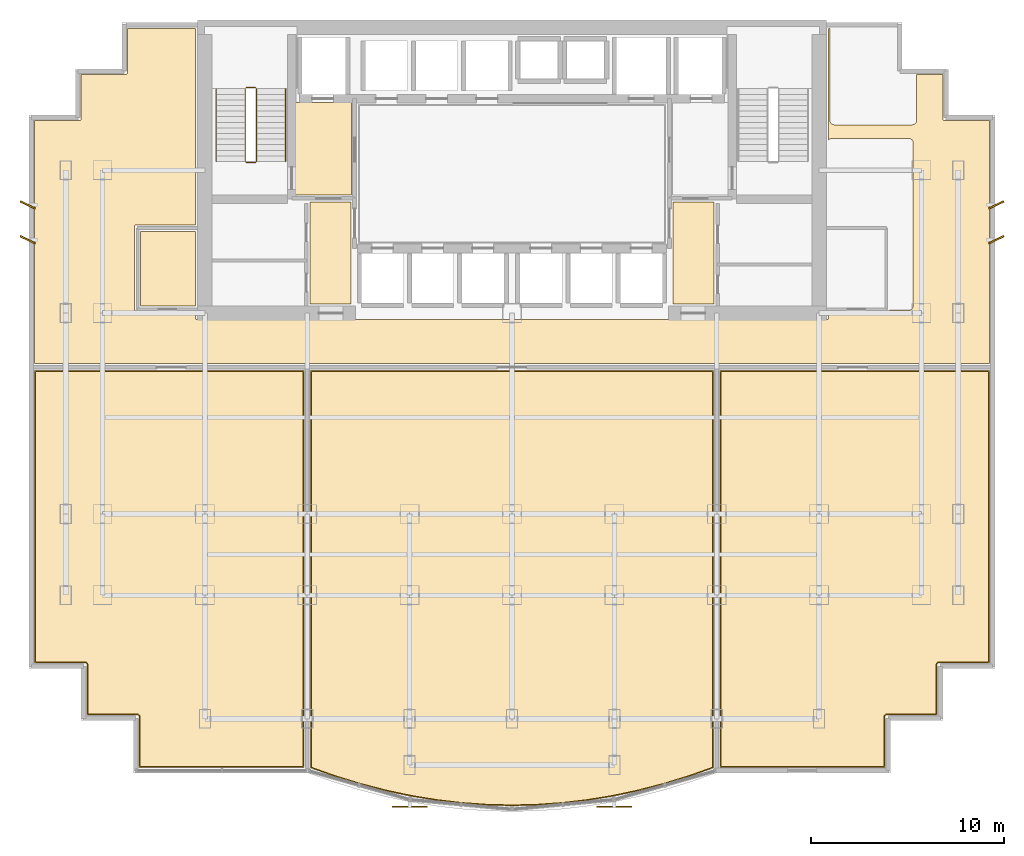
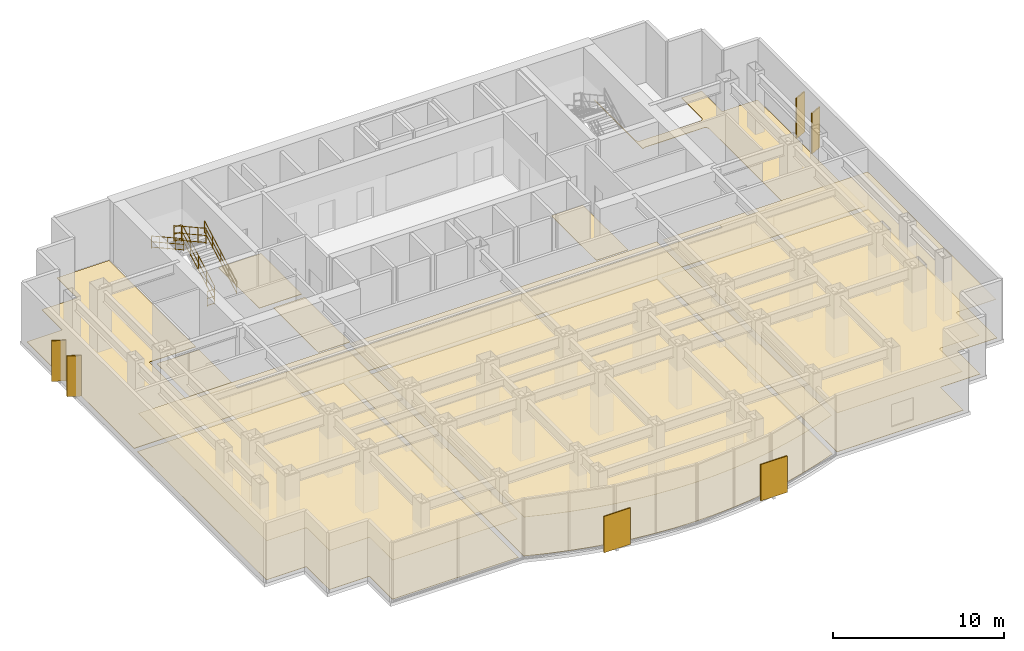
# One storey, part 8 of 9: 11 coverings, 6 railings, 6 shading devices.
"""IFC4 building model written with IfcOpenShell, lengths in metres."""

import ifcopenshell
import ifcopenshell.guid

model = None  # the IFC model being written
_history = None  # IfcOwnerHistory: only IFC2X3 demands one
_inside = {}  # id of a spatial element -> (the spatial element, [elements in it])
_under = {}  # id of a project, library or spatial element -> (it, [spatial elements below it])
_declared = {}  # id of a project -> (the project, [libraries it declares])
_typed = {}  # id of a type object -> (the type object, [elements of that type])
_made_of = {}  # id of a material, layer set ... -> (it, [elements and type objects made of it])


def new_model(schema):
    """Start an empty IFC model of exactly this schema.

    Asked for "IFC4X3", IfcOpenShell would pick the latest addendum, in which some entities
    have other attributes; the version numbers below select the first issue.
    IFC2X3 requires an IfcOwnerHistory on every rooted entity: one is made here for all.
    """
    global model, _history
    if schema == "IFC4X3":
        model = ifcopenshell.file(schema_version=(4, 3, 0, 0))
    else:
        model = ifcopenshell.file(schema=schema)
    _inside.clear()
    _under.clear()
    _declared.clear()
    _typed.clear()
    _made_of.clear()
    _history = None
    if model.schema == "IFC2X3":
        org = make("IfcOrganization", Name="unknown")
        user = make(
            "IfcPersonAndOrganization",
            ThePerson=make("IfcPerson", FamilyName="unknown"),
            TheOrganization=org,
        )
        app = make(
            "IfcApplication",
            ApplicationDeveloper=org,
            Version="unknown",
            ApplicationFullName="unknown",
            ApplicationIdentifier="unknown",
        )
        _history = make(
            "IfcOwnerHistory",
            OwningUser=user,
            OwningApplication=app,
            ChangeAction="ADDED",
            CreationDate=0,
        )
    return model


def make(cls, **values):
    """One entity of the class cls with the attributes given. An attribute that is None is left unset."""
    return model.create_entity(
        cls, **{name: value for name, value in values.items() if value is not None}
    )


def rooted(cls, **values):
    """An entity with a GlobalId (a new one), such as an element, a storey or a relation."""
    return make(cls, GlobalId=ifcopenshell.guid.new(), OwnerHistory=_history, **values)


def si_unit(unit_type, name, prefix=None):
    """IfcSIUnit, for example si_unit("LENGTHUNIT", "METRE", prefix="MILLI")."""
    return make("IfcSIUnit", UnitType=unit_type, Prefix=prefix, Name=name)


def assignment(units):
    """IfcUnitAssignment: the units of a project."""
    return None if units is None else make("IfcUnitAssignment", Units=units)


def point(xyz):
    """IfcCartesianPoint."""
    return None if xyz is None else make("IfcCartesianPoint", Coordinates=xyz)


def direction(xyz):
    """IfcDirection."""
    return None if xyz is None else make("IfcDirection", DirectionRatios=xyz)


def frame(location, z_axis=None, x_axis=None):
    """IfcAxis2Placement3D, a coordinate frame: its origin and axes. An axis left out is left unset."""
    return make(
        "IfcAxis2Placement3D",
        Location=point(location),
        Axis=direction(z_axis),
        RefDirection=direction(x_axis),
    )


def frame_2d(location, x_axis=None):
    """IfcAxis2Placement2D, a coordinate frame in the plane: its origin and x axis."""
    return make(
        "IfcAxis2Placement2D", Location=point(location), RefDirection=direction(x_axis)
    )


def origin():
    """The frame at (0, 0, 0) with its axes left unset."""
    return frame((0.0, 0.0, 0.0))


def origin_2d():
    """The frame at (0, 0) in the plane with its x axis left unset."""
    return frame_2d((0.0, 0.0))


def place(relative_to, where):
    """IfcLocalPlacement: puts the frame where relative to a parent placement (None: the world)."""
    return make(
        "IfcLocalPlacement", PlacementRelTo=relative_to, RelativePlacement=where
    )


def context(
    kind, dimensions, precision=None, world=None, true_north=None, identifier=None
):
    """IfcGeometricRepresentationContext, for example the 3D "Model" context."""
    return make(
        "IfcGeometricRepresentationContext",
        ContextIdentifier=identifier,
        ContextType=kind,
        CoordinateSpaceDimension=dimensions,
        Precision=precision,
        WorldCoordinateSystem=world,
        TrueNorth=true_north,
    )


def subcontext(parent, identifier, kind, view, scale=None):
    """IfcGeometricRepresentationSubContext, for example "Body" below "Model"."""
    return make(
        "IfcGeometricRepresentationSubContext",
        ContextIdentifier=identifier,
        ContextType=kind,
        ParentContext=parent,
        TargetScale=scale,
        TargetView=view,
    )


def project(units=None, contexts=None):
    """IfcProject with its units and contexts."""
    return rooted(
        "IfcProject",
        Name="project",
        RepresentationContexts=contexts,
        UnitsInContext=assignment(units),
    )


def spatial(cls, under=None, at=None, **own):
    """A site, building, storey or space (cls), placed at a placement, below another one or the project."""
    s = rooted(cls, ObjectPlacement=at, **own)
    if under is not None:
        _under.setdefault(under.id(), (under, []))[1].append(s)
    return s


def polyline(points):
    """IfcPolyline through the points."""
    return make("IfcPolyline", Points=[point(p) for p in points])


def profile(cls, at=None, kind="AREA", **sizes):
    """A parametric profile (cls). Its sizes go by their IFC names, for example OverallWidth=200.0."""
    return make(cls, ProfileType=kind, Position=at, **sizes)


def rectangle(**sizes):
    """IfcRectangleProfileDef."""
    return profile("IfcRectangleProfileDef", **sizes)


def circle(**sizes):
    """IfcCircleProfileDef."""
    return profile("IfcCircleProfileDef", **sizes)


def outline(outer, holes=None, kind="AREA"):
    """IfcArbitraryClosedProfileDef: a profile drawn as a closed curve; with holes, ...WithVoids."""
    if holes is None:
        return make("IfcArbitraryClosedProfileDef", ProfileType=kind, OuterCurve=outer)
    return make(
        "IfcArbitraryProfileDefWithVoids",
        ProfileType=kind,
        OuterCurve=outer,
        InnerCurves=holes,
    )


def extrude(swept, where, along, depth):
    """IfcExtrudedAreaSolid: the profile swept, set in the frame where, extruded along a direction by depth."""
    return make(
        "IfcExtrudedAreaSolid",
        SweptArea=swept,
        Position=where,
        ExtrudedDirection=direction(along),
        Depth=depth,
    )


def shape(context_of_items, identifier, shape_type, items):
    """IfcShapeRepresentation: the items that make up one representation, for example the "Body"."""
    return make(
        "IfcShapeRepresentation",
        ContextOfItems=context_of_items,
        RepresentationIdentifier=identifier,
        RepresentationType=shape_type,
        Items=items,
    )


def source(mapping_origin, context_of_items, identifier, shape_type, items):
    """IfcRepresentationMap: a shape defined once, which mapped items show again and again."""
    return make(
        "IfcRepresentationMap",
        MappingOrigin=mapping_origin,
        MappedRepresentation=shape(context_of_items, identifier, shape_type, items),
    )


def transform(
    local_origin,
    x_axis=None,
    y_axis=None,
    z_axis=None,
    scale=None,
    scale2=None,
    scale3=None,
    uniform=True,
):
    """IfcCartesianTransformationOperator3D, or its non-uniform kind. x_axis, y_axis, z_axis: its Axis1, 2, 3."""
    if uniform:
        return make(
            "IfcCartesianTransformationOperator3D",
            Axis1=direction(x_axis),
            Axis2=direction(y_axis),
            LocalOrigin=point(local_origin),
            Scale=scale,
            Axis3=direction(z_axis),
        )
    return make(
        "IfcCartesianTransformationOperator3DnonUniform",
        Axis1=direction(x_axis),
        Axis2=direction(y_axis),
        LocalOrigin=point(local_origin),
        Scale=scale,
        Axis3=direction(z_axis),
        Scale2=scale2,
        Scale3=scale3,
    )


def mapped(mapping_source, mapping_target):
    """IfcMappedItem: shows the shape of a source again, moved by a transform."""
    return make(
        "IfcMappedItem", MappingSource=mapping_source, MappingTarget=mapping_target
    )


def material(Name=None, Category=None):
    """IfcMaterial."""
    return make("IfcMaterial", Name=Name, Category=Category)


def layer(
    of_material, thickness, ventilated=None, Name=None, Category=None, Priority=None
):
    """IfcMaterialLayer: one layer of a wall or slab, of a material (None: an air gap)."""
    return make(
        "IfcMaterialLayer",
        Material=of_material,
        LayerThickness=thickness,
        IsVentilated=ventilated,
        Name=Name,
        Category=Category,
        Priority=Priority,
    )


def layer_set(layers, Name=None):
    """IfcMaterialLayerSet."""
    return make("IfcMaterialLayerSet", MaterialLayers=layers, LayerSetName=Name)


def made_of(thing, what):
    """Note that an element or type object is made of a material, layer set ...; save() writes the relation."""
    if what is not None:
        _made_of.setdefault(what.id(), (what, []))[1].append(thing)
    return thing


def type_object(cls, material=None, **own):
    """A type object (cls), such as IfcWallType, which elements share."""
    return made_of(rooted(cls, **own), material)


def element(
    cls,
    number,
    at=None,
    inside=None,
    cuts=None,
    type_object=None,
    material=None,
    context=None,
    identifier="Body",
    shape_type=None,
    held_by="IfcProductDefinitionShape",
    body=None,
    shapes=None,
    **own,
):
    """One element of the class cls, such as IfcWall. Its Tag is "e" and its number.

    at: its placement. inside: the storey or other place that contains it. cuts: it is an
    opening in that element (IfcRelVoidsElement). A single representation is given by context,
    identifier, shape_type and body (its items); several are given by shapes. held_by: the class
    of the entity that holds the representations. save() writes the other relations.
    """
    e = rooted(cls, Tag="e%d" % number, ObjectPlacement=at, **own)
    if body is not None:
        shapes = [shape(context, identifier, shape_type, body)]
    if shapes is not None:
        e.Representation = make(held_by, Representations=shapes)
    if inside is not None:
        _inside.setdefault(inside.id(), (inside, []))[1].append(e)
    if cuts is not None:
        rooted(
            "IfcRelVoidsElement", RelatingBuildingElement=cuts, RelatedOpeningElement=e
        )
    if type_object is not None:
        _typed.setdefault(type_object.id(), (type_object, []))[1].append(e)
    return made_of(e, material)


def aggregate(whole, parts):
    """IfcRelAggregates: a whole, such as a stair, and the parts it consists of."""
    return rooted("IfcRelAggregates", RelatingObject=whole, RelatedObjects=parts)


def save(model, path):
    """Write the relations noted so far, then the file.

    IfcRelAggregates (storeys below a building ...), IfcRelContainedInSpatialStructure (elements
    in a storey), IfcRelDefinesByType, IfcRelAssociatesMaterial and IfcRelDeclares: one each for
    every whole, place, type object, material and project.
    """
    for whole, parts in _under.values():
        aggregate(whole, parts)
    for where, things in _inside.values():
        rooted(
            "IfcRelContainedInSpatialStructure",
            RelatedElements=things,
            RelatingStructure=where,
        )
    for kind, things in _typed.values():
        rooted("IfcRelDefinesByType", RelatedObjects=things, RelatingType=kind)
    for what, things in _made_of.values():
        rooted("IfcRelAssociatesMaterial", RelatedObjects=things, RelatingMaterial=what)
    for by, libraries in _declared.values():
        rooted("IfcRelDeclares", RelatingContext=by, RelatedDefinitions=libraries)
    model.write(path)


model = new_model("IFC4")

# Units and contexts
model_context = context("Model", 3, precision=1e-05, world=origin(), true_north=direction((0.0, 1.0)))
body_context = subcontext(model_context, "Body", "Model", "MODEL_VIEW")
ifc_project = project(units=[si_unit("LENGTHUNIT", "METRE"), si_unit("AREAUNIT", "SQUARE_METRE"), si_unit("VOLUMEUNIT", "CUBIC_METRE"), si_unit("PLANEANGLEUNIT", "RADIAN"), si_unit("MASSUNIT", "GRAM", prefix="KILO")], contexts=[model_context])

# Site, building, storey
site_placement = place(None, origin())
site = spatial("IfcSite", under=ifc_project, at=site_placement, CompositionType="ELEMENT")
building_placement = place(site_placement, origin())
building = spatial("IfcBuilding", under=site, at=building_placement, Name="Qianlan Lanfeng Residences", CompositionType="ELEMENT")
storey_placement = place(building_placement, frame((0.0, 0.0, 77.199951171875)))
storey = spatial("IfcBuildingStorey", under=building, at=storey_placement, Name="L20", CompositionType="ELEMENT", Elevation=77.199951171875)

# Coverings
ifc_material_1 = material(Name="Acoustic Perforated Gypsum Ceiling Board")
ifc_layer_1 = layer(ifc_material_1, 0.02001953125)
ifc_layer_set_1 = layer_set([ifc_layer_1], Name="Acoustic Perforated Gypsum Ceiling Board")
covering_type_1 = type_object("IfcCoveringType", Name="CLG-GYP-15", PredefinedType="CEILING", material=ifc_layer_set_1)
covering_1_placement = place(storey_placement, frame((0.0, 0.0, 2.75)))
element("IfcCovering", 1, at=covering_1_placement, inside=storey, type_object=covering_type_1, Name="L20 Yoga Studio Suspended Ceiling", PredefinedType="CEILING", context=body_context, shape_type="SweptSolid", body=[
    extrude(outline(polyline([(15.68994140625, 22.169921875), (1.840087890625, 22.169921875), (1.840087890625, 7.139892578125), (4.419921875, 7.139892578125), (4.431884765625, 7.138916015625), (4.443115234375, 7.137939453125), (4.455078125, 7.135009765625), (4.466064453125, 7.131103515625), (4.47705078125, 7.1259765625), (4.487060546875, 7.1201171875), (4.49609375, 7.113037109375), (4.5048828125, 7.10498046875), (4.512939453125, 7.095947265625), (4.52001953125, 7.0869140625), (4.52587890625, 7.076904296875), (4.531005859375, 7.06591796875), (4.534912109375, 7.054931640625), (4.5380859375, 7.04296875), (4.5390625, 7.031982421875), (4.5400390625, 7.02001953125), (4.5400390625, 4.43994140625), (7.1201171875, 4.43994140625), (7.132080078125, 4.43896484375), (7.14306640625, 4.43798828125), (7.155029296875, 4.43505859375), (7.166015625, 4.430908203125), (7.177001953125, 4.426025390625), (7.18701171875, 4.419921875), (7.196044921875, 4.4130859375), (7.205078125, 4.405029296875), (7.212890625, 4.39599609375), (7.219970703125, 4.386962890625), (7.22607421875, 4.376953125), (7.23095703125, 4.365966796875), (7.235107421875, 4.35498046875), (7.238037109375, 4.343017578125), (7.239013671875, 4.33203125), (7.239990234375, 4.320068359375), (7.239990234375, 1.739990234375), (15.68994140625, 1.739990234375), (15.68994140625, 22.169921875)])), origin(), (0.0, 0.0, 1.0), 0.02001953125),
])
covering_2_placement = place(storey_placement, frame((0.0, 0.0, 2.75)))
element("IfcCovering", 2, at=covering_2_placement, inside=storey, type_object=covering_type_1, Name="L20 Fitness Gymnasium Suspended Ceiling", PredefinedType="CEILING", context=body_context, shape_type="SweptSolid", body=[
    extrude(outline(polyline([(16.110107421875, 22.169921875), (16.110107421875, 1.693115234375), (17.34912109375, 1.25390625), (18.657958984375, 0.85205078125), (19.965087890625, 0.511962890625), (21.27294921875, 0.23388671875), (22.580078125, 0.01806640625), (23.886962890625, -0.135986328125), (25.193115234375, -0.22900390625), (26.5, -0.260009765625), (27.805908203125, -0.22900390625), (29.113037109375, -0.135986328125), (30.4189453125, 0.01806640625), (31.72705078125, 0.23388671875), (33.033935546875, 0.511962890625), (34.342041015625, 0.85205078125), (35.65087890625, 1.25390625), (36.889892578125, 1.693115234375), (36.889892578125, 22.169921875), (16.110107421875, 22.169921875)])), origin(), (0.0, 0.0, 1.0), 0.02001953125),
])
covering_3_placement = place(storey_placement, frame((0.0, 0.0, 2.75)))
element("IfcCovering", 3, at=covering_3_placement, inside=storey, type_object=covering_type_1, Name="L20 Harbour Tea Salon Suspended Ceiling", PredefinedType="CEILING", context=body_context, shape_type="SweptSolid", body=[
    extrude(outline(polyline([(37.31005859375, 22.169921875), (37.31005859375, 1.739990234375), (45.760009765625, 1.739990234375), (45.760009765625, 4.320068359375), (45.760986328125, 4.33203125), (45.761962890625, 4.343017578125), (45.764892578125, 4.35498046875), (45.76904296875, 4.365966796875), (45.77392578125, 4.376953125), (45.780029296875, 4.386962890625), (45.787109375, 4.39599609375), (45.794921875, 4.405029296875), (45.803955078125, 4.4130859375), (45.81298828125, 4.419921875), (45.822998046875, 4.426025390625), (45.833984375, 4.430908203125), (45.844970703125, 4.43505859375), (45.85693359375, 4.43798828125), (45.867919921875, 4.43896484375), (45.8798828125, 4.43994140625), (48.4599609375, 4.43994140625), (48.4599609375, 7.02001953125), (48.4609375, 7.031982421875), (48.4619140625, 7.04296875), (48.465087890625, 7.054931640625), (48.468994140625, 7.06591796875), (48.47412109375, 7.076904296875), (48.47998046875, 7.0869140625), (48.487060546875, 7.095947265625), (48.4951171875, 7.10498046875), (48.50390625, 7.113037109375), (48.512939453125, 7.1201171875), (48.52294921875, 7.1259765625), (48.533935546875, 7.131103515625), (48.544921875, 7.135009765625), (48.556884765625, 7.137939453125), (48.568115234375, 7.138916015625), (48.580078125, 7.139892578125), (51.159912109375, 7.139892578125), (51.159912109375, 22.169921875), (37.31005859375, 22.169921875)])), origin(), (0.0, 0.0, 1.0), 0.02001953125),
])
ifc_material_2 = material(Name="Honed Taitung Granite Stone Flooring", Category="masonry")
ifc_layer_2 = layer(ifc_material_2, 0.030029296875)
ifc_layer_set_2 = layer_set([ifc_layer_2], Name="Honed Taitung Granite Stone Flooring")
covering_type_2 = type_object("IfcCoveringType", Name="FLR-STN-30", PredefinedType="FLOORING", material=ifc_layer_set_2)
covering_4_placement = place(storey_placement, origin())
element("IfcCovering", 4, at=covering_4_placement, inside=storey, type_object=covering_type_2, Name="L20 Firefighting Lift Lobby Floor Finish", PredefinedType="FLOORING", context=body_context, shape_type="SweptSolid", body=[
    extrude(outline(polyline([(15.2900390625, 31.320068359375), (18.179931640625, 31.320068359375), (18.179931640625, 36.110107421875), (15.2900390625, 36.110107421875), (15.2900390625, 31.320068359375)])), origin(), (0.0, 0.0, 1.0), 0.030029296875),
])
covering_5_placement = place(storey_placement, origin())
element("IfcCovering", 5, at=covering_5_placement, inside=storey, type_object=covering_type_2, Name="L20 Fitness Gymnasium Floor Finish", PredefinedType="FLOORING", context=body_context, shape_type="SweptSolid", body=[
    extrude(outline(polyline([(16.06005859375, 22.219970703125), (16.06005859375, 1.657958984375), (17.3330078125, 1.2060546875), (18.64404296875, 0.803955078125), (19.9541015625, 0.462890625), (21.263916015625, 0.18505859375), (22.572998046875, -0.031982421875), (23.882080078125, -0.18603515625), (25.19091796875, -0.279052734375), (26.5, -0.31005859375), (27.80810546875, -0.279052734375), (29.117919921875, -0.18603515625), (30.426025390625, -0.031982421875), (31.736083984375, 0.18505859375), (33.044921875, 0.462890625), (34.35595703125, 0.803955078125), (35.6669921875, 1.2060546875), (36.93994140625, 1.657958984375), (36.93994140625, 22.219970703125), (16.06005859375, 22.219970703125)])), origin(), (0.0, 0.0, 1.0), 0.030029296875),
])
covering_6_placement = place(storey_placement, origin())
element("IfcCovering", 6, at=covering_6_placement, inside=storey, type_object=covering_type_2, Name="L20 Sky Transfer Lobby Floor Finish", PredefinedType="FLOORING", context=body_context, shape_type="SweptSolid", body=[
    extrude(outline(polyline([(47.449951171875, 37.56005859375), (47.449951171875, 35.199951171875), (47.448974609375, 35.175048828125), (47.445068359375, 35.15087890625), (47.43896484375, 35.126953125), (47.430908203125, 35.10400390625), (47.419921875, 35.08203125), (47.407958984375, 35.06103515625), (47.39306640625, 35.041015625), (47.376953125, 35.02294921875), (47.35888671875, 35.007080078125), (47.339111328125, 34.991943359375), (47.318115234375, 34.97998046875), (47.2958984375, 34.968994140625), (47.27294921875, 34.9609375), (47.2490234375, 34.955078125), (47.22509765625, 34.950927734375), (47.199951171875, 34.949951171875), (43.199951171875, 34.949951171875), (43.175048828125, 34.950927734375), (43.15087890625, 34.955078125), (43.126953125, 34.9609375), (43.10400390625, 34.968994140625), (43.08203125, 34.97998046875), (43.06103515625, 34.991943359375), (43.041015625, 35.007080078125), (43.02294921875, 35.02294921875), (43.007080078125, 35.041015625), (42.991943359375, 35.06103515625), (42.97998046875, 35.08203125), (42.968994140625, 35.10400390625), (42.9609375, 35.126953125), (42.955078125, 35.15087890625), (42.950927734375, 35.175048828125), (42.949951171875, 35.199951171875), (42.949951171875, 39.929931640625), (42.89501953125, 39.929931640625), (42.89501953125, 34.16796875), (42.903076171875, 34.177001953125), (42.9208984375, 34.193115234375), (42.94091796875, 34.2080078125), (42.9619140625, 34.219970703125), (42.98388671875, 34.23095703125), (43.007080078125, 34.239013671875), (43.031005859375, 34.2451171875), (43.054931640625, 34.2490234375), (43.080078125, 34.25), (47.02001953125, 34.25), (47.044921875, 34.2490234375), (47.069091796875, 34.2451171875), (47.093017578125, 34.239013671875), (47.115966796875, 34.23095703125), (47.137939453125, 34.219970703125), (47.158935546875, 34.2080078125), (47.178955078125, 34.193115234375), (47.197021484375, 34.177001953125), (47.212890625, 34.158935546875), (47.22802734375, 34.138916015625), (47.239990234375, 34.117919921875), (47.2509765625, 34.095947265625), (47.259033203125, 34.072998046875), (47.264892578125, 34.049072265625), (47.26904296875, 34.02490234375), (47.27001953125, 34.0), (47.27001953125, 25.60009765625), (47.26904296875, 25.574951171875), (47.264892578125, 25.551025390625), (47.259033203125, 25.527099609375), (47.2509765625, 25.50390625), (47.239990234375, 25.48193359375), (47.22802734375, 25.4609375), (47.212890625, 25.44091796875), (47.197021484375, 25.423095703125), (47.178955078125, 25.406982421875), (47.158935546875, 25.39208984375), (47.137939453125, 25.3798828125), (47.115966796875, 25.368896484375), (47.093017578125, 25.361083984375), (47.069091796875, 25.35498046875), (47.044921875, 25.35107421875), (47.02001953125, 25.35009765625), (46.044921875, 25.35009765625), (46.044921875, 25.300048828125), (46.044921875, 25.29296875), (46.0439453125, 25.285888671875), (46.0419921875, 25.280029296875), (46.0400390625, 25.27294921875), (46.037109375, 25.26708984375), (46.032958984375, 25.260986328125), (46.029052734375, 25.256103515625), (46.02392578125, 25.2509765625), (46.01904296875, 25.24609375), (46.013916015625, 25.241943359375), (46.008056640625, 25.238037109375), (46.001953125, 25.235107421875), (45.9951171875, 25.23291015625), (45.989013671875, 25.23095703125), (45.98193359375, 25.22998046875), (45.97509765625, 25.22998046875), (42.89501953125, 25.22998046875), (42.89501953125, 24.949951171875), (42.89501953125, 24.943115234375), (42.89404296875, 24.93603515625), (42.89208984375, 24.929931640625), (42.889892578125, 24.923095703125), (42.886962890625, 24.9169921875), (42.883056640625, 24.910888671875), (42.87890625, 24.906005859375), (42.8740234375, 24.90087890625), (42.868896484375, 24.89599609375), (42.864013671875, 24.89208984375), (42.85791015625, 24.887939453125), (42.85205078125, 24.885009765625), (42.844970703125, 24.883056640625), (42.839111328125, 24.881103515625), (42.83203125, 24.8798828125), (42.824951171875, 24.8798828125), (10.175048828125, 24.8798828125), (10.16796875, 24.8798828125), (10.160888671875, 24.881103515625), (10.155029296875, 24.883056640625), (10.14794921875, 24.885009765625), (10.14208984375, 24.887939453125), (10.135986328125, 24.89208984375), (10.131103515625, 24.89599609375), (10.1259765625, 24.90087890625), (10.12109375, 24.906005859375), (10.116943359375, 24.910888671875), (10.113037109375, 24.9169921875), (10.110107421875, 24.923095703125), (10.10791015625, 24.929931640625), (10.10595703125, 24.93603515625), (10.10498046875, 24.943115234375), (10.10498046875, 24.949951171875), (10.10498046875, 25.22998046875), (7.02490234375, 25.22998046875), (7.01806640625, 25.22998046875), (7.010986328125, 25.23095703125), (7.0048828125, 25.23291015625), (6.998046875, 25.235107421875), (6.991943359375, 25.238037109375), (6.986083984375, 25.241943359375), (6.98095703125, 25.24609375), (6.97607421875, 25.2509765625), (6.970947265625, 25.256103515625), (6.967041015625, 25.260986328125), (6.962890625, 25.26708984375), (6.9599609375, 25.27294921875), (6.9580078125, 25.280029296875), (6.9560546875, 25.285888671875), (6.955078125, 25.29296875), (6.955078125, 25.300048828125), (6.955078125, 29.699951171875), (6.955078125, 29.70703125), (6.9560546875, 29.714111328125), (6.9580078125, 29.719970703125), (6.9599609375, 29.72705078125), (6.962890625, 29.73291015625), (6.967041015625, 29.739013671875), (6.970947265625, 29.743896484375), (6.97607421875, 29.7490234375), (6.98095703125, 29.75390625), (6.986083984375, 29.758056640625), (6.991943359375, 29.761962890625), (6.998046875, 29.764892578125), (7.0048828125, 29.76708984375), (7.010986328125, 29.76904296875), (7.01806640625, 29.77001953125), (7.02490234375, 29.77001953125), (10.10498046875, 29.77001953125), (10.10498046875, 39.929931640625), (6.590087890625, 39.929931640625), (6.590087890625, 37.6298828125), (6.590087890625, 37.623046875), (6.589111328125, 37.615966796875), (6.5869140625, 37.610107421875), (6.5849609375, 37.60302734375), (6.58203125, 37.596923828125), (6.577880859375, 37.591064453125), (6.573974609375, 37.5859375), (6.569091796875, 37.5810546875), (6.56396484375, 37.575927734375), (6.55908203125, 37.572021484375), (6.552978515625, 37.568115234375), (6.547119140625, 37.56494140625), (6.5400390625, 37.56298828125), (6.533935546875, 37.56103515625), (6.527099609375, 37.56005859375), (6.52001953125, 37.56005859375), (4.18994140625, 37.56005859375), (4.18994140625, 35.22998046875), (4.18994140625, 35.222900390625), (4.18896484375, 35.216064453125), (4.18701171875, 35.2099609375), (4.18505859375, 35.202880859375), (4.181884765625, 35.197021484375), (4.177978515625, 35.19091796875), (4.174072265625, 35.18603515625), (4.1689453125, 35.180908203125), (4.1640625, 35.176025390625), (4.158935546875, 35.172119140625), (4.153076171875, 35.16796875), (4.14697265625, 35.1650390625), (4.139892578125, 35.1630859375), (4.134033203125, 35.160888671875), (4.126953125, 35.159912109375), (4.1201171875, 35.159912109375), (1.7900390625, 35.159912109375), (1.7900390625, 22.580078125), (51.2099609375, 22.580078125), (51.2099609375, 35.159912109375), (48.8798828125, 35.159912109375), (48.873046875, 35.159912109375), (48.865966796875, 35.160888671875), (48.860107421875, 35.1630859375), (48.85302734375, 35.1650390625), (48.846923828125, 35.16796875), (48.841064453125, 35.172119140625), (48.8359375, 35.176025390625), (48.8310546875, 35.180908203125), (48.825927734375, 35.18603515625), (48.822021484375, 35.19091796875), (48.818115234375, 35.197021484375), (48.81494140625, 35.202880859375), (48.81298828125, 35.2099609375), (48.81103515625, 35.216064453125), (48.81005859375, 35.222900390625), (48.81005859375, 35.22998046875), (48.81005859375, 37.56005859375), (47.449951171875, 37.56005859375)])), origin(), (0.0, 0.0, 1.0), 0.030029296875),
])
covering_7_placement = place(storey_placement, origin())
element("IfcCovering", 7, at=covering_7_placement, inside=storey, type_object=covering_type_2, Name="L20 Lift Lobby Floor Finish", PredefinedType="FLOORING", context=body_context, shape_type="SweptSolid", body=[
    extrude(outline(polyline([(16.030029296875, 25.669921875), (18.169921875, 25.669921875), (18.169921875, 30.949951171875), (16.030029296875, 30.949951171875), (16.030029296875, 25.669921875)])), origin(), (0.0, 0.0, 1.0), 0.030029296875),
])
covering_8_placement = place(storey_placement, origin())
element("IfcCovering", 8, at=covering_8_placement, inside=storey, type_object=covering_type_2, Name="L20 Lift Lobby Floor Finish", PredefinedType="FLOORING", context=body_context, shape_type="SweptSolid", body=[
    extrude(outline(polyline([(34.830078125, 25.669921875), (36.969970703125, 25.669921875), (36.969970703125, 30.949951171875), (34.830078125, 30.949951171875), (34.830078125, 25.669921875)])), origin(), (0.0, 0.0, 1.0), 0.030029296875),
])
ifc_material_3 = material(Name="Slip-Resistant Porcelain Tile Flooring")
ifc_layer_3 = layer(ifc_material_3, 0.02001953125)
ifc_layer_set_3 = layer_set([ifc_layer_3], Name="Slip-Resistant Porcelain Tile Flooring")
covering_type_3 = type_object("IfcCoveringType", Name="FLR-TIL-20", PredefinedType="FLOORING", material=ifc_layer_set_3)
covering_9_placement = place(storey_placement, origin())
element("IfcCovering", 9, at=covering_9_placement, inside=storey, type_object=covering_type_3, Name="L20 Public Restroom Floor Finish", PredefinedType="FLOORING", context=body_context, shape_type="SweptSolid", body=[
    extrude(outline(polyline([(7.27490234375, 25.570068359375), (10.114990234375, 25.570068359375), (10.114990234375, 29.429931640625), (7.27490234375, 29.429931640625), (7.27490234375, 25.570068359375)])), origin(), (0.0, 0.0, 1.0), 0.02001953125),
])
ifc_material_4 = material(Name="Engineered Smoked Oak Timber Flooring", Category="wood")
ifc_layer_4 = layer(ifc_material_4, 0.02197265625)
ifc_layer_set_4 = layer_set([ifc_layer_4], Name="Engineered Smoked Oak Timber Flooring")
covering_type_4 = type_object("IfcCoveringType", Name="FLR-TIM-22", PredefinedType="FLOORING", material=ifc_layer_set_4)
covering_10_placement = place(storey_placement, origin())
element("IfcCovering", 10, at=covering_10_placement, inside=storey, type_object=covering_type_4, Name="L20 Yoga Studio Floor Finish", PredefinedType="FLOORING", context=body_context, shape_type="SweptSolid", body=[
    extrude(outline(polyline([(15.739990234375, 22.219970703125), (1.7900390625, 22.219970703125), (1.7900390625, 7.090087890625), (4.419921875, 7.090087890625), (4.427001953125, 7.090087890625), (4.43408203125, 7.089111328125), (4.43994140625, 7.0869140625), (4.447021484375, 7.0849609375), (4.452880859375, 7.08203125), (4.458984375, 7.077880859375), (4.464111328125, 7.073974609375), (4.468994140625, 7.069091796875), (4.47412109375, 7.06396484375), (4.47802734375, 7.05908203125), (4.48193359375, 7.052978515625), (4.485107421875, 7.047119140625), (4.487060546875, 7.0400390625), (4.489013671875, 7.033935546875), (4.489990234375, 7.027099609375), (4.489990234375, 7.02001953125), (4.489990234375, 4.389892578125), (7.1201171875, 4.389892578125), (7.126953125, 4.389892578125), (7.134033203125, 4.388916015625), (7.139892578125, 4.386962890625), (7.14697265625, 4.385009765625), (7.153076171875, 4.382080078125), (7.158935546875, 4.3779296875), (7.1640625, 4.3740234375), (7.1689453125, 4.368896484375), (7.174072265625, 4.364013671875), (7.177978515625, 4.35888671875), (7.181884765625, 4.35302734375), (7.18505859375, 4.346923828125), (7.18701171875, 4.340087890625), (7.18896484375, 4.333984375), (7.18994140625, 4.326904296875), (7.18994140625, 4.320068359375), (7.18994140625, 1.68994140625), (15.739990234375, 1.68994140625), (15.739990234375, 22.219970703125)])), origin(), (0.0, 0.0, 1.0), 0.02197265625),
])
covering_11_placement = place(storey_placement, origin())
element("IfcCovering", 11, at=covering_11_placement, inside=storey, type_object=covering_type_4, Name="L20 Harbour Tea Salon Floor Finish", PredefinedType="FLOORING", context=body_context, shape_type="SweptSolid", body=[
    extrude(outline(polyline([(37.260009765625, 22.219970703125), (37.260009765625, 1.68994140625), (45.81005859375, 1.68994140625), (45.81005859375, 4.320068359375), (45.81005859375, 4.326904296875), (45.81103515625, 4.333984375), (45.81298828125, 4.340087890625), (45.81494140625, 4.346923828125), (45.818115234375, 4.35302734375), (45.822021484375, 4.35888671875), (45.825927734375, 4.364013671875), (45.8310546875, 4.368896484375), (45.8359375, 4.3740234375), (45.841064453125, 4.3779296875), (45.846923828125, 4.382080078125), (45.85302734375, 4.385009765625), (45.860107421875, 4.386962890625), (45.865966796875, 4.388916015625), (45.873046875, 4.389892578125), (45.8798828125, 4.389892578125), (48.510009765625, 4.389892578125), (48.510009765625, 7.02001953125), (48.510009765625, 7.027099609375), (48.510986328125, 7.033935546875), (48.512939453125, 7.0400390625), (48.514892578125, 7.047119140625), (48.51806640625, 7.052978515625), (48.52197265625, 7.05908203125), (48.52587890625, 7.06396484375), (48.531005859375, 7.069091796875), (48.535888671875, 7.073974609375), (48.541015625, 7.077880859375), (48.547119140625, 7.08203125), (48.552978515625, 7.0849609375), (48.56005859375, 7.0869140625), (48.56591796875, 7.089111328125), (48.572998046875, 7.090087890625), (48.580078125, 7.090087890625), (51.2099609375, 7.090087890625), (51.2099609375, 22.219970703125), (37.260009765625, 22.219970703125)])), origin(), (0.0, 0.0, 1.0), 0.02197265625),
])

# Railings
ifc_material_5 = material(Name="Painted Galvanised Steel Guardrail", Category="steel")
railing_type_1 = type_object("IfcRailingType", Name="GR-ST-1120", PredefinedType="GUARDRAIL", material=ifc_material_5)
railing_1_placement = place(storey_placement, frame((13.27001953125, 33.050048828125, 0.16064453125)))
element("IfcRailing", 12, at=railing_1_placement, inside=storey, type_object=railing_type_1, Name="L20 ST-1 stair guard 1", PredefinedType="GUARDRAIL", context=body_context, shape_type="SweptSolid", body=[
    extrude(circle(Radius=0.02392578125, at=origin_2d()), frame((0.0, 0.0, 0.083984375), z_axis=(0.0, 0.874659101714, 0.484738543742), x_axis=(-1.0, 0.0, 0.0)), (0.0, 0.0, 1.0), 4.310302734375),
    extrude(circle(Radius=0.02392578125, at=origin_2d()), frame((0.0, 0.0, 0.58251953125), z_axis=(0.0, 0.874659101714, 0.484738543742), x_axis=(-1.0, 0.0, 0.0)), (0.0, 0.0, 1.0), 4.310302734375),
    extrude(circle(Radius=0.02392578125, at=origin_2d()), frame((0.0, 0.0, 1.09619140625), z_axis=(0.0, 0.874659101714, 0.484738543742), x_axis=(-1.0, 0.0, 0.0)), (0.0, 0.0, 1.0), 4.310302734375),
    extrude(circle(Radius=0.02099609375, at=origin_2d()), origin(), (0.0, 0.0, 1.0), 1.072021484375),
    extrude(circle(Radius=0.02099609375, at=origin_2d()), frame((0.0, 0.9423828125, 0.5224609375)), (0.0, 0.0, 1.0), 1.072021484375),
    extrude(circle(Radius=0.02099609375, at=origin_2d()), frame((0.0, 1.885009765625, 1.044677734375)), (0.0, 0.0, 1.0), 1.072021484375),
    extrude(circle(Radius=0.02099609375, at=origin_2d()), frame((0.0, 2.82763671875, 1.56689453125)), (0.0, 0.0, 1.0), 1.072021484375),
    extrude(circle(Radius=0.02099609375, at=origin_2d()), frame((0.0, 3.77001953125, 2.08935546875)), (0.0, 0.0, 1.0), 1.072021484375),
])
railing_2_placement = place(storey_placement, frame((13.219970703125, 36.8701171875, 2.25)))
element("IfcRailing", 13, at=railing_2_placement, inside=storey, type_object=railing_type_1, Name="L20 ST-1 stair guard 2", PredefinedType="GUARDRAIL", context=body_context, shape_type="SweptSolid", body=[
    extrude(circle(Radius=0.02392578125, at=origin_2d()), frame((0.0, 0.0, 0.083984375), z_axis=(-1.0, 0.0, 0.0), x_axis=(0.0, -1.0, 0.0)), (0.0, 0.0, 1.0), 0.47998046875),
    extrude(circle(Radius=0.02392578125, at=origin_2d()), frame((0.0, 0.0, 0.58251953125), z_axis=(-1.0, 0.0, 0.0), x_axis=(0.0, -1.0, 0.0)), (0.0, 0.0, 1.0), 0.47998046875),
    extrude(circle(Radius=0.02392578125, at=origin_2d()), frame((0.0, 0.0, 1.09619140625), z_axis=(-1.0, 0.0, 0.0), x_axis=(0.0, -1.0, 0.0)), (0.0, 0.0, 1.0), 0.47998046875),
    extrude(circle(Radius=0.02099609375, at=origin_2d()), origin(), (0.0, 0.0, 1.0), 1.072021484375),
    extrude(circle(Radius=0.02099609375, at=origin_2d()), frame((-0.47998046875, 0.0, 0.0)), (0.0, 0.0, 1.0), 1.072021484375),
])
railing_3_placement = place(storey_placement, frame((12.68994140625, 36.820068359375, 2.41064453125)))
element("IfcRailing", 14, at=railing_3_placement, inside=storey, type_object=railing_type_1, Name="L20 ST-1 stair guard 3", PredefinedType="GUARDRAIL", context=body_context, shape_type="SweptSolid", body=[
    extrude(circle(Radius=0.02392578125, at=origin_2d()), frame((0.0, 0.0, 0.083984375), z_axis=(0.0, -0.874659101714, 0.484738543742), x_axis=(1.0, 0.0, 0.0)), (0.0, 0.0, 1.0), 4.310302734375),
    extrude(circle(Radius=0.02392578125, at=origin_2d()), frame((0.0, 0.0, 0.58251953125), z_axis=(0.0, -0.874659101714, 0.484738543742), x_axis=(1.0, 0.0, 0.0)), (0.0, 0.0, 1.0), 4.310302734375),
    extrude(circle(Radius=0.02392578125, at=origin_2d()), frame((0.0, 0.0, 1.09619140625), z_axis=(0.0, -0.874659101714, 0.484738543742), x_axis=(1.0, 0.0, 0.0)), (0.0, 0.0, 1.0), 4.310302734375),
    extrude(circle(Radius=0.02099609375, at=origin_2d()), origin(), (0.0, 0.0, 1.0), 1.072021484375),
    extrude(circle(Radius=0.02099609375, at=origin_2d()), frame((0.0, -0.9423828125, 0.5224609375)), (0.0, 0.0, 1.0), 1.072021484375),
    extrude(circle(Radius=0.02099609375, at=origin_2d()), frame((0.0, -1.885009765625, 1.044677734375)), (0.0, 0.0, 1.0), 1.072021484375),
    extrude(circle(Radius=0.02099609375, at=origin_2d()), frame((0.0, -2.82763671875, 1.56689453125)), (0.0, 0.0, 1.0), 1.072021484375),
    extrude(circle(Radius=0.02099609375, at=origin_2d()), frame((0.0, -3.77001953125, 2.08935546875)), (0.0, 0.0, 1.0), 1.072021484375),
])
railing_4_placement = place(storey_placement, frame((13.219970703125, 33.0, 0.0)))
element("IfcRailing", 15, at=railing_4_placement, inside=storey, type_object=railing_type_1, Name="L20 ST-1 stair guard 4", PredefinedType="GUARDRAIL", context=body_context, shape_type="SweptSolid", body=[
    extrude(circle(Radius=0.02392578125, at=origin_2d()), frame((0.0, 0.0, 0.083984375), z_axis=(-1.0, 0.0, 0.0), x_axis=(0.0, -1.0, 0.0)), (0.0, 0.0, 1.0), 0.47998046875),
    extrude(circle(Radius=0.02392578125, at=origin_2d()), frame((0.0, 0.0, 0.58251953125), z_axis=(-1.0, 0.0, 0.0), x_axis=(0.0, -1.0, 0.0)), (0.0, 0.0, 1.0), 0.47998046875),
    extrude(circle(Radius=0.02392578125, at=origin_2d()), frame((0.0, 0.0, 1.09619140625), z_axis=(-1.0, 0.0, 0.0), x_axis=(0.0, -1.0, 0.0)), (0.0, 0.0, 1.0), 0.47998046875),
    extrude(circle(Radius=0.02099609375, at=origin_2d()), origin(), (0.0, 0.0, 1.0), 1.072021484375),
    extrude(circle(Radius=0.02099609375, at=origin_2d()), frame((-0.47998046875, 0.0, 0.0)), (0.0, 0.0, 1.0), 1.072021484375),
])
ifc_material_6 = material(Name="Brushed Stainless Steel Handrail", Category="steel")
railing_type_2 = type_object("IfcRailingType", Name="HR-ST-920", PredefinedType="HANDRAIL", material=ifc_material_6)
railing_5_placement = place(storey_placement, frame((14.77001953125, 33.050048828125, 0.16064453125)))
element("IfcRailing", 16, at=railing_5_placement, inside=storey, type_object=railing_type_2, Name="L20 ST-1 stair handrail 1", PredefinedType="HANDRAIL", context=body_context, shape_type="SweptSolid", body=[
    extrude(circle(Radius=0.02392578125, at=origin_2d()), frame((0.0, 0.0, 0.083984375), z_axis=(0.0, 0.874659101714, 0.484738543742), x_axis=(-1.0, 0.0, 0.0)), (0.0, 0.0, 1.0), 4.310302734375),
    extrude(circle(Radius=0.02392578125, at=origin_2d()), frame((0.0, 0.0, 0.468017578125), z_axis=(0.0, 0.874659101714, 0.484738543742), x_axis=(-1.0, 0.0, 0.0)), (0.0, 0.0, 1.0), 4.310302734375),
    extrude(circle(Radius=0.02392578125, at=origin_2d()), frame((0.0, 0.0, 0.8759765625), z_axis=(0.0, 0.874659101714, 0.484738543742), x_axis=(-1.0, 0.0, 0.0)), (0.0, 0.0, 1.0), 4.310302734375),
    extrude(circle(Radius=0.02099609375, at=origin_2d()), origin(), (0.0, 0.0, 1.0), 0.851806640625),
    extrude(circle(Radius=0.02099609375, at=origin_2d()), frame((0.0, 0.9423828125, 0.5224609375)), (0.0, 0.0, 1.0), 0.851806640625),
    extrude(circle(Radius=0.02099609375, at=origin_2d()), frame((0.0, 1.885009765625, 1.044677734375)), (0.0, 0.0, 1.0), 0.851806640625),
    extrude(circle(Radius=0.02099609375, at=origin_2d()), frame((0.0, 2.82763671875, 1.56689453125)), (0.0, 0.0, 1.0), 0.851806640625),
    extrude(circle(Radius=0.02099609375, at=origin_2d()), frame((0.0, 3.77001953125, 2.08935546875)), (0.0, 0.0, 1.0), 0.851806640625),
])
railing_6_placement = place(storey_placement, frame((11.18994140625, 36.820068359375, 2.41064453125)))
element("IfcRailing", 17, at=railing_6_placement, inside=storey, type_object=railing_type_2, Name="L20 ST-1 stair handrail 2", PredefinedType="HANDRAIL", context=body_context, shape_type="SweptSolid", body=[
    extrude(circle(Radius=0.02392578125, at=origin_2d()), frame((0.0, 0.0, 0.083984375), z_axis=(0.0, -0.874659101714, 0.484738543742), x_axis=(1.0, 0.0, 0.0)), (0.0, 0.0, 1.0), 4.310302734375),
    extrude(circle(Radius=0.02392578125, at=origin_2d()), frame((0.0, 0.0, 0.468017578125), z_axis=(0.0, -0.874659101714, 0.484738543742), x_axis=(1.0, 0.0, 0.0)), (0.0, 0.0, 1.0), 4.310302734375),
    extrude(circle(Radius=0.02392578125, at=origin_2d()), frame((0.0, 0.0, 0.8759765625), z_axis=(0.0, -0.874659101714, 0.484738543742), x_axis=(1.0, 0.0, 0.0)), (0.0, 0.0, 1.0), 4.310302734375),
    extrude(circle(Radius=0.02099609375, at=origin_2d()), origin(), (0.0, 0.0, 1.0), 0.851806640625),
    extrude(circle(Radius=0.02099609375, at=origin_2d()), frame((0.0, -0.9423828125, 0.5224609375)), (0.0, 0.0, 1.0), 0.851806640625),
    extrude(circle(Radius=0.02099609375, at=origin_2d()), frame((0.0, -1.885009765625, 1.044677734375)), (0.0, 0.0, 1.0), 0.851806640625),
    extrude(circle(Radius=0.02099609375, at=origin_2d()), frame((0.0, -2.82763671875, 1.56689453125)), (0.0, 0.0, 1.0), 0.851806640625),
    extrude(circle(Radius=0.02099609375, at=origin_2d()), frame((0.0, -3.77001953125, 2.08935546875)), (0.0, 0.0, 1.0), 0.851806640625),
])

# Shading devices
ifc_material_7 = material(Name="Perforated Bronze Aluminium Solar Screen", Category="aluminium")
shading_device_type_1 = type_object("IfcShadingDeviceType", Name="SCR-BRZ-1800", PredefinedType="JALOUSIE", material=ifc_material_7)
shared_shape_1 = source(origin(), body_context, "Body", "SweptSolid", [
    extrude(rectangle(XDim=1.800048828125, YDim=0.06005859375, at=origin_2d()), origin(), (0.0, 0.0, 1.0), 2.60009765625),
])
for number, where, z_axis, x_axis, name in (
    (18, (21.199951171875, -0.360107421875, 0.0), (0.0, 0.0, 1.0), (1.0, 0.0, 0.0), "L20 Perforated Bronze Solar Screen 1"),
    (19, (31.800048828125, -0.360107421875, 0.0), (0.0, 0.0, 1.0), (1.0, 0.0, 0.0), "L20 Perforated Bronze Solar Screen 2"),
):
    element("IfcShadingDevice", number, at=place(storey_placement, frame(where, z_axis=z_axis, x_axis=x_axis)), inside=storey, type_object=shading_device_type_1, Name=name, PredefinedType="JALOUSIE", context=body_context, shape_type="MappedRepresentation", body=[
        mapped(shared_shape_1, transform((0.0, 0.0, 0.0), scale=1.0)),
    ])
ifc_material_8 = material(Name="Anodised Bronze Aluminium Solar Fin", Category="aluminium")
shading_device_type_2 = type_object("IfcShadingDeviceType", Name="FIN-BRZ-850", PredefinedType="SHUTTER", material=ifc_material_8)
shared_shape_2 = source(origin(), body_context, "Body", "SweptSolid", [
    extrude(rectangle(XDim=0.85009765625, YDim=0.080078125, at=origin_2d()), origin(), (0.0, 0.0, 1.0), 2.89990234375),
])
for number, where, z_axis, x_axis, name in (
    (20, (1.429931640625, 29.0, 0.0), (0.0, 0.0, 1.0), (0.898794046299, -0.438371146789, 0.0), "L20 Raked Bronze Solar Fin W1"),
    (21, (1.429931640625, 30.800048828125, 0.0), (0.0, 0.0, 1.0), (0.898794046299, -0.438371146789, 0.0), "L20 Raked Bronze Solar Fin W2"),
    (22, (51.570068359375, 29.0, 0.0), (0.0, 0.0, 1.0), (0.898794046299, 0.438371146789, 0.0), "L20 Raked Bronze Solar Fin E1"),
    (23, (51.570068359375, 30.800048828125, 0.0), (0.0, 0.0, 1.0), (0.898794046299, 0.438371146789, 0.0), "L20 Raked Bronze Solar Fin E2"),
):
    element("IfcShadingDevice", number, at=place(storey_placement, frame(where, z_axis=z_axis, x_axis=x_axis)), inside=storey, type_object=shading_device_type_2, Name=name, PredefinedType="SHUTTER", context=body_context, shape_type="MappedRepresentation", body=[
        mapped(shared_shape_2, transform((0.0, 0.0, 0.0), scale=1.0)),
    ])

save(model, "model.ifc")
